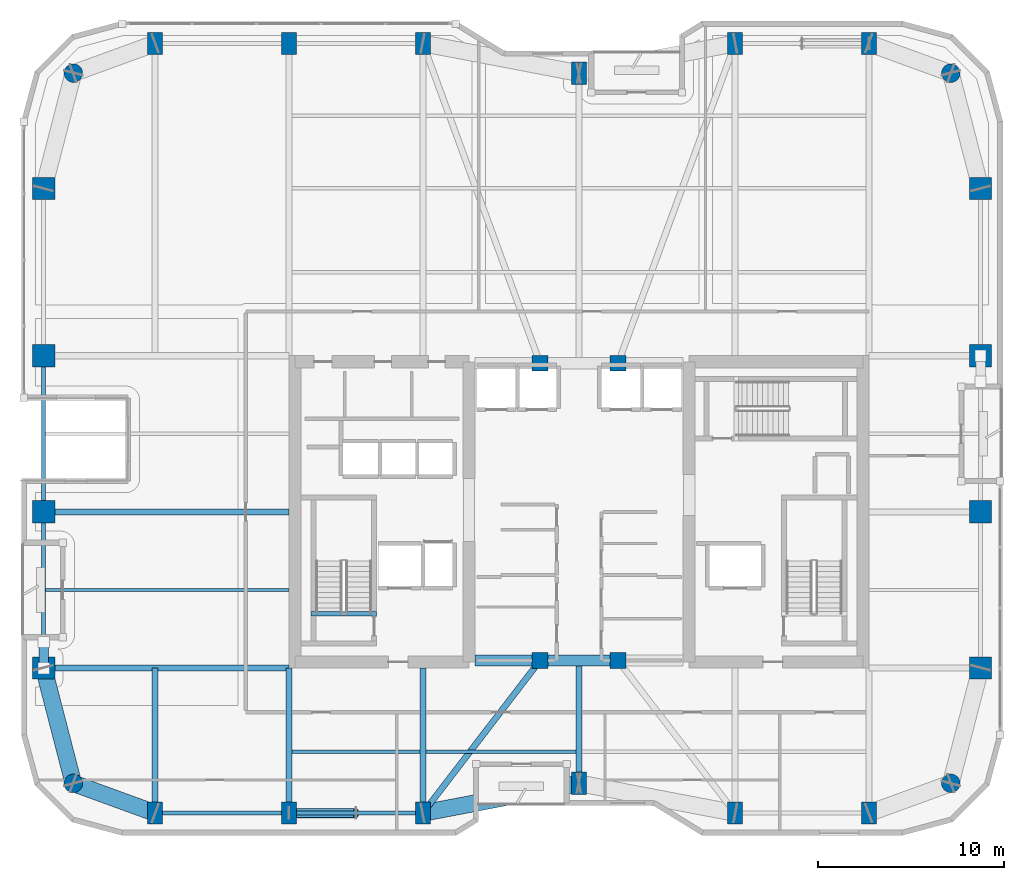
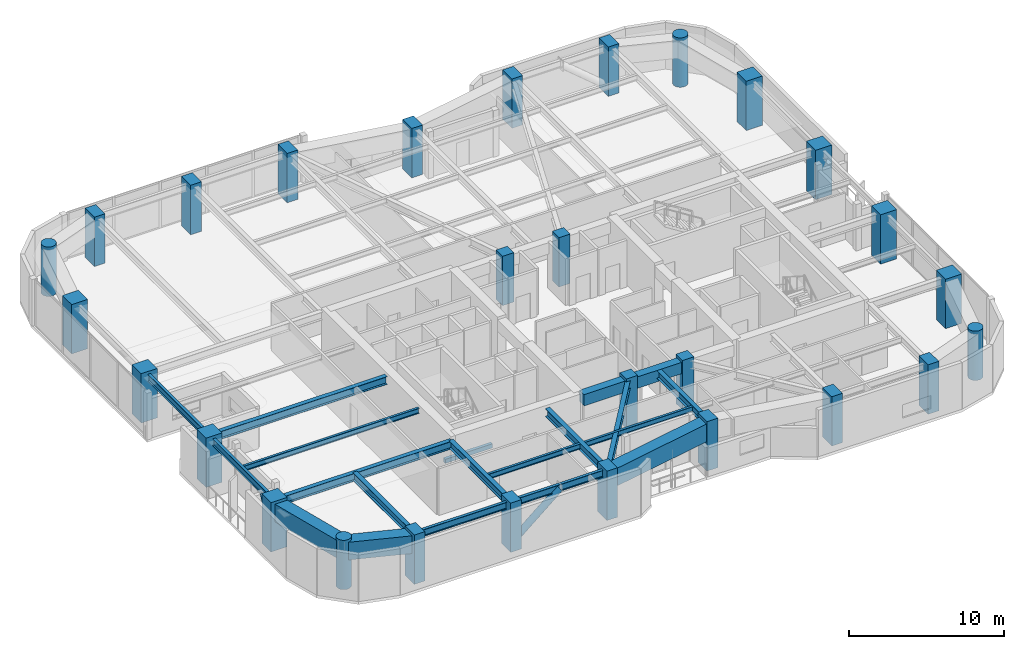
# One storey, part 1 of 26: 28 columns, 20 beams, 2 members.
"""IFC4 building model written with IfcOpenShell, lengths in metres."""

from ifc_helpers import new_model, si_unit, direction, frame, origin, origin_2d, place, context, subcontext, project, spatial, rectangle, hollow_rectangle, circle, hollow_circle, i_section, extrude, material, material_profile, profile_set, type_object, element, save


model = new_model("IFC4")

# Units and contexts
model_context = context("Model", 3, precision=1e-05, world=origin(), true_north=direction((0.0, 1.0)))
body_context = subcontext(model_context, "Body", "Model", "MODEL_VIEW")
ifc_project = project(units=[si_unit("LENGTHUNIT", "METRE"), si_unit("AREAUNIT", "SQUARE_METRE"), si_unit("VOLUMEUNIT", "CUBIC_METRE"), si_unit("PLANEANGLEUNIT", "RADIAN"), si_unit("MASSUNIT", "GRAM", prefix="KILO")], contexts=[model_context])

# Site, building, storey
site_placement = place(None, origin())
site = spatial("IfcSite", under=ifc_project, at=site_placement, CompositionType="ELEMENT")
building_placement = place(site_placement, origin())
building = spatial("IfcBuilding", under=site, at=building_placement, Name="Kiyonajd Concourse Tower", CompositionType="ELEMENT")
storey_placement = place(building_placement, frame((0.0, 0.0, 186.300048828125)))
storey = spatial("IfcBuildingStorey", under=building, at=storey_placement, Name="L47", CompositionType="ELEMENT", Elevation=186.300048828125)

# Columns
ifc_material_1 = material(Name="Concrete C70/85", Category="concrete")
ifc_material_profile_1 = material_profile(ifc_material_1, rectangle(XDim=0.800048828125, YDim=1.199951171875, at=origin_2d()), Name="RC-1200x800")
ifc_profile_set_1 = profile_set([ifc_material_profile_1], Name="Concrete C70/85")
column_type_1 = type_object("IfcColumnType", Name="CL-BLADE-1200", PredefinedType="COLUMN", material=ifc_profile_set_1)
for number, where, z_axis, x_axis, name in (
    (1, (25.199951171875, 19.800048828125, 0.0), (0.0, 0.0, 1.0), (1.0, 0.0, 0.0), "L47 Perimeter Bundled Tube Column"),
    (2, (25.199951171875, 61.199951171875, 0.0), (0.0, 0.0, 1.0), (1.0, 0.0, 0.0), "L47 Perimeter Bundled Tube Column"),
    (3, (32.39990234375, 19.800048828125, 0.0), (0.0, 0.0, 1.0), (1.0, 0.0, 0.0), "L47 Perimeter Bundled Tube Column"),
    (4, (32.39990234375, 61.199951171875, 0.0), (0.0, 0.0, 1.0), (1.0, 0.0, 0.0), "L47 Perimeter Bundled Tube Column"),
    (5, (39.60009765625, 19.800048828125, 0.0), (0.0, 0.0, 1.0), (1.0, 0.0, 0.0), "L47 Perimeter Bundled Tube Column"),
    (6, (39.60009765625, 61.199951171875, 0.0), (0.0, 0.0, 1.0), (1.0, 0.0, 0.0), "L47 Perimeter Bundled Tube Column"),
    (7, (48.0, 21.39990234375, 0.0), (0.0, 0.0, 1.0), (1.0, 0.0, 0.0), "L47 Perimeter Bundled Tube Column"),
    (8, (48.0, 59.60009765625, 0.0), (0.0, 0.0, 1.0), (1.0, 0.0, 0.0), "L47 Perimeter Bundled Tube Column"),
    (9, (56.39990234375, 19.800048828125, 0.0), (0.0, 0.0, 1.0), (1.0, 0.0, 0.0), "L47 Perimeter Bundled Tube Column"),
    (10, (56.39990234375, 61.199951171875, 0.0), (0.0, 0.0, 1.0), (1.0, 0.0, 0.0), "L47 Perimeter Bundled Tube Column"),
    (11, (63.60009765625, 19.800048828125, 0.0), (0.0, 0.0, 1.0), (1.0, 0.0, 0.0), "L47 Perimeter Bundled Tube Column"),
    (12, (63.60009765625, 61.199951171875, 0.0), (0.0, 0.0, 1.0), (1.0, 0.0, 0.0), "L47 Perimeter Bundled Tube Column"),
):
    element("IfcColumn", number, at=place(storey_placement, frame(where, z_axis=z_axis, x_axis=x_axis)), inside=storey, type_object=column_type_1, Name=name, PredefinedType="COLUMN", context=body_context, shape_type="SweptSolid", body=[
        extrude(rectangle(XDim=0.800048828125, YDim=1.199951171875, at=origin_2d()), origin(), (0.0, 0.0, 1.0), 3.89990234375),
    ])
ifc_material_2 = material(Name="Concrete C60/75", Category="concrete")
ifc_material_profile_2 = material_profile(ifc_material_2, circle(Radius=0.5, at=origin_2d()), Name="RCC-D1000")
ifc_profile_set_2 = profile_set([ifc_material_profile_2], Name="Concrete C60/75")
column_type_2 = type_object("IfcColumnType", Name="CL-RND-1000", PredefinedType="COLUMN", material=ifc_profile_set_2)
for number, where, z_axis, x_axis, name in (
    (13, (20.800048828125, 21.39990234375, 0.0), (0.0, 0.0, 1.0), (1.0, 0.0, 0.0), "L47 Bundled Tube Corner Column South West"),
    (14, (68.0, 21.39990234375, 0.0), (0.0, 0.0, 1.0), (1.0, 0.0, 0.0), "L47 Bundled Tube Corner Column South East"),
    (15, (68.0, 59.60009765625, 0.0), (0.0, 0.0, 1.0), (1.0, 0.0, 0.0), "L47 Bundled Tube Corner Column North East"),
    (16, (20.800048828125, 59.60009765625, 0.0), (0.0, 0.0, 1.0), (1.0, 0.0, 0.0), "L47 Bundled Tube Corner Column North West"),
):
    element("IfcColumn", number, at=place(storey_placement, frame(where, z_axis=z_axis, x_axis=x_axis)), inside=storey, type_object=column_type_2, Name=name, PredefinedType="COLUMN", context=body_context, shape_type="SweptSolid", body=[
        extrude(circle(Radius=0.5, at=origin_2d()), origin(), (0.0, 0.0, 1.0), 3.89990234375),
    ])
ifc_material_profile_3 = material_profile(ifc_material_1, rectangle(XDim=1.199951171875, YDim=1.199951171875, at=origin_2d()), Name="RC-1200x1200")
ifc_profile_set_3 = profile_set([ifc_material_profile_3], Name="Concrete C70/85")
column_type_3 = type_object("IfcColumnType", Name="CL-TUBE-1200", PredefinedType="COLUMN", material=ifc_profile_set_3)
for number, where, z_axis, x_axis, name in (
    (17, (19.199951171875, 27.60009765625, 0.0), (0.0, 0.0, 1.0), (1.0, 0.0, 0.0), "L47 Perimeter Bundled Tube Column"),
    (18, (69.60009765625, 27.60009765625, 0.0), (0.0, 0.0, 1.0), (1.0, 0.0, 0.0), "L47 Perimeter Bundled Tube Column"),
    (19, (19.199951171875, 36.0, 0.0), (0.0, 0.0, 1.0), (1.0, 0.0, 0.0), "L47 Perimeter Bundled Tube Column"),
    (20, (69.60009765625, 36.0, 0.0), (0.0, 0.0, 1.0), (1.0, 0.0, 0.0), "L47 Perimeter Bundled Tube Column"),
    (21, (19.199951171875, 44.39990234375, 0.0), (0.0, 0.0, 1.0), (1.0, 0.0, 0.0), "L47 Perimeter Bundled Tube Column"),
    (22, (69.60009765625, 44.39990234375, 0.0), (0.0, 0.0, 1.0), (1.0, 0.0, 0.0), "L47 Perimeter Bundled Tube Column"),
    (23, (19.199951171875, 53.39990234375, 0.0), (0.0, 0.0, 1.0), (1.0, 0.0, 0.0), "L47 Perimeter Bundled Tube Column"),
    (24, (69.60009765625, 53.39990234375, 0.0), (0.0, 0.0, 1.0), (1.0, 0.0, 0.0), "L47 Perimeter Bundled Tube Column"),
):
    element("IfcColumn", number, at=place(storey_placement, frame(where, z_axis=z_axis, x_axis=x_axis)), inside=storey, type_object=column_type_3, Name=name, PredefinedType="COLUMN", context=body_context, shape_type="SweptSolid", body=[
        extrude(rectangle(XDim=1.199951171875, YDim=1.199951171875, at=origin_2d()), origin(), (0.0, 0.0, 1.0), 3.89990234375),
    ])
ifc_material_profile_4 = material_profile(ifc_material_2, rectangle(XDim=0.85009765625, YDim=0.85009765625, at=origin_2d()), Name="RC-850x850")
ifc_profile_set_4 = profile_set([ifc_material_profile_4], Name="Concrete C60/75")
column_type_4 = type_object("IfcColumnType", Name="CL-TUBE-850", PredefinedType="COLUMN", material=ifc_profile_set_4)
for number, where, z_axis, x_axis, name in (
    (25, (45.89990234375, 28.0, 0.0), (0.0, 0.0, 1.0), (1.0, 0.0, 0.0), "L47 Core Tie Column South West"),
    (26, (50.10009765625, 28.0, 0.0), (0.0, 0.0, 1.0), (1.0, 0.0, 0.0), "L47 Core Tie Column South East"),
    (27, (45.89990234375, 44.0, 0.0), (0.0, 0.0, 1.0), (1.0, 0.0, 0.0), "L47 Core Tie Column North West"),
    (28, (50.10009765625, 44.0, 0.0), (0.0, 0.0, 1.0), (1.0, 0.0, 0.0), "L47 Core Tie Column North East"),
):
    element("IfcColumn", number, at=place(storey_placement, frame(where, z_axis=z_axis, x_axis=x_axis)), inside=storey, type_object=column_type_4, Name=name, PredefinedType="COLUMN", context=body_context, shape_type="SweptSolid", body=[
        extrude(rectangle(XDim=0.85009765625, YDim=0.85009765625, at=origin_2d()), origin(), (0.0, 0.0, 1.0), 3.89990234375),
    ])

# Beams
ifc_material_profile_5 = material_profile(ifc_material_2, rectangle(XDim=0.60009765625, YDim=0.89990234375, at=origin_2d()), Name="RCBM-600x900")
ifc_profile_set_5 = profile_set([ifc_material_profile_5], Name="Concrete C60/75")
beam_type_1 = type_object("IfcBeamType", Name="BM-COUP-900", PredefinedType="LINTEL", material=ifc_profile_set_5)
beam_1_placement = place(storey_placement, frame((42.39990234375, 28.0, 3.22998046875), z_axis=(1.0, 0.0, 0.0), x_axis=(0.0, 1.0, 0.0)))
element("IfcBeam", 29, at=beam_1_placement, inside=storey, type_object=beam_type_1, Name="L47 Core Coupling Beam S1", PredefinedType="LINTEL", context=body_context, shape_type="SweptSolid", body=[
    extrude(rectangle(XDim=0.60009765625, YDim=0.89990234375, at=origin_2d()), origin(), (0.0, 0.0, 1.0), 3.5),
])
beam_2_placement = place(storey_placement, frame((45.89990234375, 28.0, 3.22998046875), z_axis=(1.0, 0.0, 0.0), x_axis=(0.0, 1.0, 0.0)))
element("IfcBeam", 30, at=beam_2_placement, inside=storey, type_object=beam_type_1, Name="L47 Core Coupling Beam S2", PredefinedType="LINTEL", context=body_context, shape_type="SweptSolid", body=[
    extrude(rectangle(XDim=0.60009765625, YDim=0.89990234375, at=origin_2d()), origin(), (0.0, 0.0, 1.0), 4.2001953125),
])
ifc_material_3 = material(Name="Steel ASTM A992 Grade 50", Category="steel")
ifc_material_profile_6 = material_profile(ifc_material_3, i_section(OverallWidth=0.180908203125, OverallDepth=0.4169921875, WebThickness=0.010986328125, FlangeThickness=0.018310546875, at=origin_2d()), Name="W410X85")
ifc_profile_set_6 = profile_set([ifc_material_profile_6], Name="Steel ASTM A992 Grade 50")
beam_type_2 = type_object("IfcBeamType", Name="BM-JST-410", PredefinedType="JOIST", material=ifc_profile_set_6)
beam_3_placement = place(storey_placement, frame((32.5634765625, 23.10009765625, 3.471435546875), z_axis=(1.0, 0.0, 0.0), x_axis=(0.0, 1.0, 0.0)))
element("IfcBeam", 31, at=beam_3_placement, inside=storey, type_object=beam_type_2, Name="L47 Secondary Floor Joist", PredefinedType="JOIST", context=body_context, shape_type="SweptSolid", body=[
    extrude(i_section(OverallWidth=0.180908203125, OverallDepth=0.4169921875, WebThickness=0.010986328125, FlangeThickness=0.018310546875, at=origin_2d()), origin(), (0.0, 0.0, 1.0), 6.873046875),
])
beam_4_placement = place(storey_placement, frame((39.763427734375, 23.10009765625, 3.471435546875), z_axis=(1.0, 0.0, 0.0), x_axis=(0.0, 1.0, 0.0)))
element("IfcBeam", 32, at=beam_4_placement, inside=storey, type_object=beam_type_2, Name="L47 Secondary Floor Joist", PredefinedType="JOIST", context=body_context, shape_type="SweptSolid", body=[
    extrude(i_section(OverallWidth=0.180908203125, OverallDepth=0.4169921875, WebThickness=0.010986328125, FlangeThickness=0.018310546875, at=origin_2d()), origin(), (0.0, 0.0, 1.0), 8.072998046875),
])
beam_5_placement = place(storey_placement, frame((19.306884765625, 31.800048828125, 3.471435546875), z_axis=(1.0, 0.0, 0.0), x_axis=(0.0, 1.0, 0.0)))
element("IfcBeam", 33, at=beam_5_placement, inside=storey, type_object=beam_type_2, Name="L47 West Secondary Floor Joist", PredefinedType="JOIST", context=body_context, shape_type="SweptSolid", body=[
    extrude(i_section(OverallWidth=0.180908203125, OverallDepth=0.4169921875, WebThickness=0.010986328125, FlangeThickness=0.018310546875, at=origin_2d()), origin(), (0.0, 0.0, 1.0), 13.093017578125),
])
ifc_material_4 = material(Name="Concrete C50/60", Category="concrete")
ifc_material_profile_7 = material_profile(ifc_material_4, rectangle(XDim=0.239990234375, YDim=0.320068359375, at=origin_2d()), Name="RCBM-240x320")
ifc_profile_set_7 = profile_set([ifc_material_profile_7], Name="Concrete C50/60")
beam_type_3 = type_object("IfcBeamType", Name="BM-LNT-250", PredefinedType="LINTEL", material=ifc_profile_set_7)
beam_6_placement = place(storey_placement, frame((33.590087890625, 30.530029296875, -0.16015625), z_axis=(1.0, 0.0, 0.0), x_axis=(0.0, 1.0, 0.0)))
element("IfcBeam", 34, at=beam_6_placement, inside=storey, type_object=beam_type_3, Name="L47 Stair ST1 Threshold Support Beam", PredefinedType="LINTEL", context=body_context, shape_type="SweptSolid", body=[
    extrude(rectangle(XDim=0.239990234375, YDim=0.320068359375, at=origin_2d()), origin(), (0.0, 0.0, 1.0), 3.52001953125),
])
ifc_material_profile_8 = material_profile(ifc_material_3, i_section(OverallWidth=0.214111328125, OverallDepth=0.549072265625, WebThickness=0.0146484375, FlangeThickness=0.023681640625, at=origin_2d()), Name="W530X138")
ifc_profile_set_8 = profile_set([ifc_material_profile_8], Name="Steel ASTM A992 Grade 50")
beam_type_4 = type_object("IfcBeamType", Name="BM-SPAN-530A", PredefinedType="SPANDREL", material=ifc_profile_set_8)
beam_7_placement = place(storey_placement, frame((25.199951171875, 19.800048828125, 3.405517578125), z_axis=(1.0, 0.0, 0.0), x_axis=(0.0, 1.0, 0.0)))
element("IfcBeam", 35, at=beam_7_placement, inside=storey, type_object=beam_type_4, Name="L47 Perimeter Bundled Tube Spandrel", PredefinedType="SPANDREL", context=body_context, shape_type="SweptSolid", body=[
    extrude(i_section(OverallWidth=0.214111328125, OverallDepth=0.549072265625, WebThickness=0.0146484375, FlangeThickness=0.023681640625, at=origin_2d()), origin(), (0.0, 0.0, 1.0), 7.199951171875),
])
beam_8_placement = place(storey_placement, frame((32.39990234375, 19.800048828125, 3.405517578125), z_axis=(1.0, 0.0, 0.0), x_axis=(0.0, 1.0, 0.0)))
element("IfcBeam", 36, at=beam_8_placement, inside=storey, type_object=beam_type_4, Name="L47 Perimeter Bundled Tube Spandrel", PredefinedType="SPANDREL", context=body_context, shape_type="SweptSolid", body=[
    extrude(i_section(OverallWidth=0.214111328125, OverallDepth=0.549072265625, WebThickness=0.0146484375, FlangeThickness=0.023681640625, at=origin_2d()), origin(), (0.0, 0.0, 1.0), 7.2001953125),
])
for number, where, z_axis, x_axis, name in (
    (37, (19.199951171875, 44.39990234375, 3.405517578125), (0.0, -1.0, 0.0), (1.0, 0.0, 0.0), "L47 Perimeter Bundled Tube Spandrel"),
    (38, (19.199951171875, 36.0, 3.405517578125), (0.0, -1.0, 0.0), (1.0, 0.0, 0.0), "L47 Perimeter Bundled Tube Spandrel"),
):
    element("IfcBeam", number, at=place(storey_placement, frame(where, z_axis=z_axis, x_axis=x_axis)), inside=storey, type_object=beam_type_4, Name=name, PredefinedType="SPANDREL", context=body_context, shape_type="SweptSolid", body=[
        extrude(i_section(OverallWidth=0.214111328125, OverallDepth=0.549072265625, WebThickness=0.0146484375, FlangeThickness=0.023681640625, at=origin_2d()), origin(), (0.0, 0.0, 1.0), 8.39990234375),
    ])
ifc_material_profile_9 = material_profile(ifc_material_3, i_section(OverallWidth=0.326904296875, OverallDepth=0.6220703125, WebThickness=0.015380859375, FlangeThickness=0.0244140625, at=origin_2d()), Name="W610X195")
ifc_profile_set_9 = profile_set([ifc_material_profile_9], Name="Steel ASTM A992 Grade 50")
beam_type_5 = type_object("IfcBeamType", Name="BM-TWR-610A", PredefinedType="BEAM", material=ifc_profile_set_9)
beam_9_placement = place(storey_placement, frame((39.60009765625, 19.800048828125, 3.368896484375), z_axis=(0.609233709922, 0.792990722956, 0.0), x_axis=(-0.792990722956, 0.609233709922, 0.0)))
element("IfcBeam", 39, at=beam_9_placement, inside=storey, type_object=beam_type_5, Name="L47 Core Tie Girder", PredefinedType="BEAM", context=body_context, shape_type="SweptSolid", body=[
    extrude(i_section(OverallWidth=0.326904296875, OverallDepth=0.6220703125, WebThickness=0.015380859375, FlangeThickness=0.0244140625, at=origin_2d()), origin(), (0.0, 0.0, 1.0), 10.340576171875),
])
for number, where, z_axis, x_axis, name in (
    (40, (25.199951171875, 19.800048828125, 3.368896484375), (0.0, 1.0, 0.0), (-1.0, 0.0, 0.0), "L47 South Lease Girder"),
    (41, (32.39990234375, 19.800048828125, 3.368896484375), (0.0, 1.0, 0.0), (-1.0, 0.0, 0.0), "L47 South Lease Girder"),
    (42, (39.60009765625, 19.800048828125, 3.368896484375), (0.0, 1.0, 0.0), (-1.0, 0.0, 0.0), "L47 South Lease Girder"),
):
    element("IfcBeam", number, at=place(storey_placement, frame(where, z_axis=z_axis, x_axis=x_axis)), inside=storey, type_object=beam_type_5, Name=name, PredefinedType="BEAM", context=body_context, shape_type="SweptSolid", body=[
        extrude(i_section(OverallWidth=0.326904296875, OverallDepth=0.6220703125, WebThickness=0.015380859375, FlangeThickness=0.0244140625, at=origin_2d()), origin(), (0.0, 0.0, 1.0), 7.800048828125),
    ])
beam_10_placement = place(storey_placement, frame((48.0, 21.39990234375, 3.368896484375), z_axis=(0.0, 1.0, 0.0), x_axis=(-1.0, 0.0, 0.0)))
element("IfcBeam", 43, at=beam_10_placement, inside=storey, type_object=beam_type_5, Name="L47 South Ribbon Girder", PredefinedType="BEAM", context=body_context, shape_type="SweptSolid", body=[
    extrude(i_section(OverallWidth=0.326904296875, OverallDepth=0.6220703125, WebThickness=0.015380859375, FlangeThickness=0.0244140625, at=origin_2d()), origin(), (0.0, 0.0, 1.0), 6.60009765625),
])
for number, where, z_axis, x_axis, name in (
    (44, (19.199951171875, 27.60009765625, 3.368896484375), (1.0, 0.0, 0.0), (0.0, 1.0, 0.0), "L47 West Lease Girder"),
    (45, (19.199951171875, 36.0, 3.368896484375), (1.0, 0.0, 0.0), (0.0, 1.0, 0.0), "L47 West Lease Girder"),
):
    element("IfcBeam", number, at=place(storey_placement, frame(where, z_axis=z_axis, x_axis=x_axis)), inside=storey, type_object=beam_type_5, Name=name, PredefinedType="BEAM", context=body_context, shape_type="SweptSolid", body=[
        extrude(i_section(OverallWidth=0.326904296875, OverallDepth=0.6220703125, WebThickness=0.015380859375, FlangeThickness=0.0244140625, at=origin_2d()), origin(), (0.0, 0.0, 1.0), 13.199951171875),
    ])
ifc_material_5 = material(Name="Steel ASTM A572 Grade 50", Category="steel")
ifc_material_profile_10 = material_profile(ifc_material_5, hollow_rectangle(XDim=0.89990234375, YDim=1.39990234375, WallThickness=0.070068359375, at=origin_2d()), Name="BOX-1400x900x70")
ifc_profile_set_10 = profile_set([ifc_material_profile_10], Name="Steel ASTM A572 Grade 50")
beam_type_6 = type_object("IfcBeamType", Name="BM-XFER-1400", PredefinedType="BEAM", material=ifc_profile_set_10)
beam_11_placement = place(storey_placement, frame((19.199951171875, 27.60009765625, 2.97998046875), z_axis=(0.249884937687, -0.968275538221, 0.0), x_axis=(0.968275538221, 0.249884937687, 0.0)))
element("IfcBeam", 46, at=beam_11_placement, inside=storey, type_object=beam_type_6, Name="L47 Perimeter Bundled Tube Spandrel", PredefinedType="BEAM", context=body_context, shape_type="SweptSolid", body=[
    extrude(hollow_rectangle(XDim=0.89990234375, YDim=1.39990234375, WallThickness=0.070068359375, at=origin_2d()), origin(), (0.0, 0.0, 1.0), 6.4033203125),
])
beam_12_placement = place(storey_placement, frame((20.800048828125, 21.39990234375, 2.97998046875), z_axis=(0.939801036019, -0.341722127901, 0.0), x_axis=(0.341722127901, 0.939801036019, 0.0)))
element("IfcBeam", 47, at=beam_12_placement, inside=storey, type_object=beam_type_6, Name="L47 Perimeter Bundled Tube Spandrel", PredefinedType="BEAM", context=body_context, shape_type="SweptSolid", body=[
    extrude(hollow_rectangle(XDim=0.89990234375, YDim=1.39990234375, WallThickness=0.070068359375, at=origin_2d()), origin(), (0.0, 0.0, 1.0), 4.681640625),
])
beam_13_placement = place(storey_placement, frame((39.60009765625, 19.800048828125, 2.97998046875), z_axis=(0.982341315253, 0.187097675953, 0.0), x_axis=(-0.187097675953, 0.982341315253, 0.0)))
element("IfcBeam", 48, at=beam_13_placement, inside=storey, type_object=beam_type_6, Name="L47 Perimeter Bundled Tube Spandrel", PredefinedType="BEAM", context=body_context, shape_type="SweptSolid", body=[
    extrude(hollow_rectangle(XDim=0.89990234375, YDim=1.39990234375, WallThickness=0.070068359375, at=origin_2d()), origin(), (0.0, 0.0, 1.0), 8.55078125),
])

# Members
ifc_material_6 = material(Name="Steel ASTM A500 Grade C", Category="steel")
ifc_material_profile_11 = material_profile(ifc_material_6, hollow_circle(Radius=0.25390625, WallThickness=0.02197265625, at=origin_2d()), Name="CHS-508x22")
ifc_profile_set_11 = profile_set([ifc_material_profile_11], Name="Steel ASTM A500 Grade C")
member_type = type_object("IfcMemberType", Name="MB-PB-MID", PredefinedType="BRACE", material=ifc_profile_set_11)
member_1_placement = place(storey_placement, frame((32.39990234375, 19.800048828125, 0.300048828125), z_axis=(0.765107605277, 0.0, 0.643902440085), x_axis=(0.0, 1.0, 0.0)))
element("IfcMember", 49, at=member_1_placement, inside=storey, type_object=member_type, Name="L47 Upper Zone Hollow Tube Brace PBS", PredefinedType="BRACE", context=body_context, shape_type="SweptSolid", body=[
    extrude(hollow_circle(Radius=0.25390625, WallThickness=0.02197265625, at=origin_2d()), origin(), (0.0, 0.0, 1.0), 4.705322265625),
])
member_2_placement = place(storey_placement, frame((19.199951171875, 27.60009765625, 0.300048828125), z_axis=(0.0, 0.419438517439, 0.907783746323), x_axis=(-1.0, 0.0, 0.0)))
element("IfcMember", 50, at=member_2_placement, inside=storey, type_object=member_type, Name="L47 Upper Zone Hollow Tube Brace PBW", PredefinedType="BRACE", context=body_context, shape_type="SweptSolid", body=[
    extrude(hollow_circle(Radius=0.25390625, WallThickness=0.02197265625, at=origin_2d()), origin(), (0.0, 0.0, 1.0), 3.337646484375),
])

save(model, "model.ifc")
